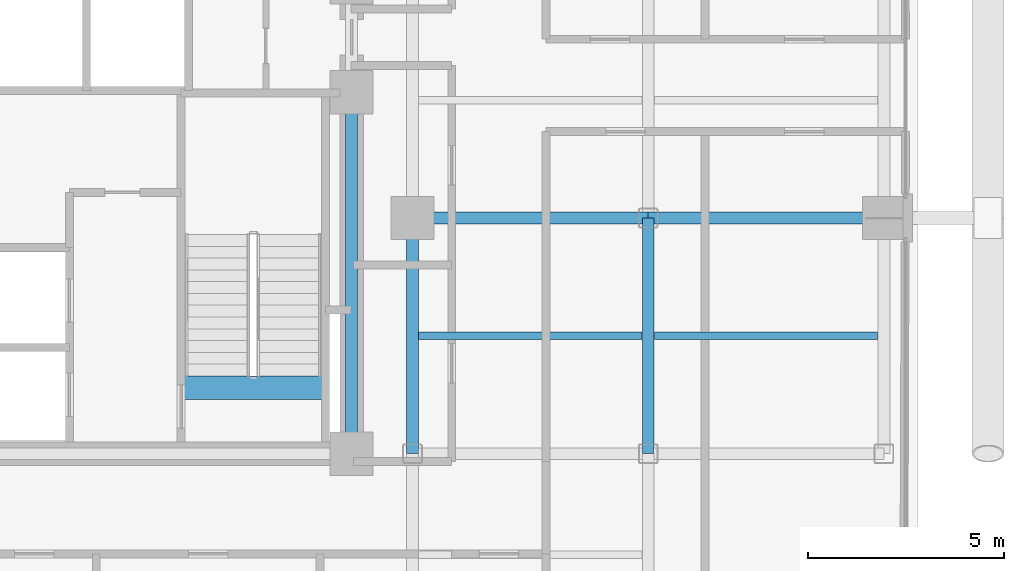
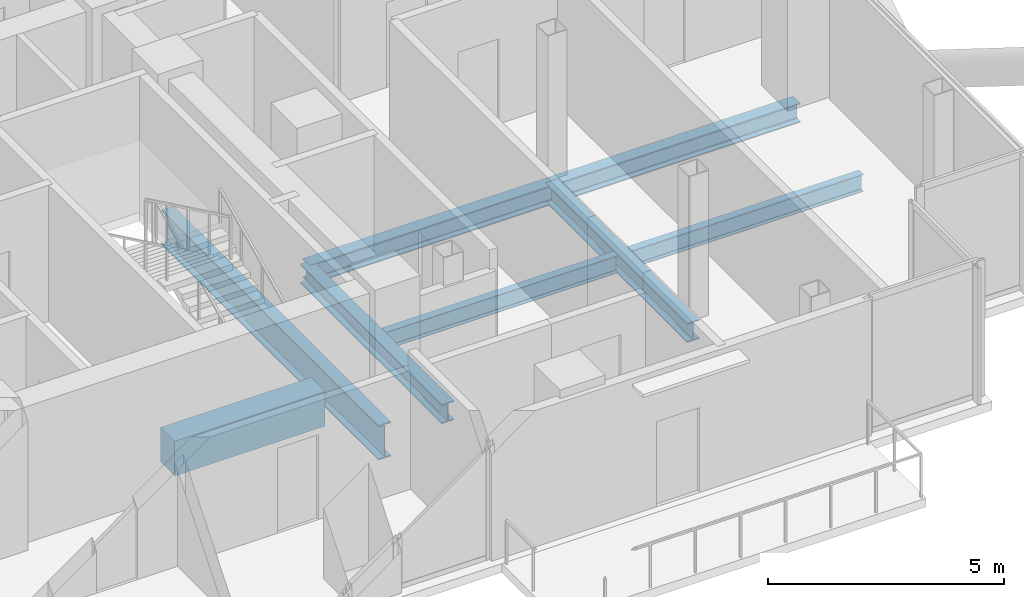
# One storey, part 11 of 28: 8 beams.
"""IFC4 building model written with IfcOpenShell, lengths in metres."""

from ifc_helpers import new_model, si_unit, direction, frame, origin, origin_2d, place, context, subcontext, project, spatial, rectangle, i_section, extrude, material, material_profile, profile_set, type_object, element, save


model = new_model("IFC4")

# Units and contexts
model_context = context("Model", 3, precision=1e-05, world=origin(), true_north=direction((0.0, 1.0)))
body_context = subcontext(model_context, "Body", "Model", "MODEL_VIEW")
ifc_project = project(units=[si_unit("LENGTHUNIT", "METRE"), si_unit("AREAUNIT", "SQUARE_METRE"), si_unit("VOLUMEUNIT", "CUBIC_METRE"), si_unit("PLANEANGLEUNIT", "RADIAN"), si_unit("MASSUNIT", "GRAM", prefix="KILO"), si_unit("THERMODYNAMICTEMPERATUREUNIT", "KELVIN"), si_unit("POWERUNIT", "WATT")], contexts=[model_context])

# Site, building, storey
site_placement = place(None, origin())
site = spatial("IfcSite", under=ifc_project, at=site_placement, CompositionType="ELEMENT")
building_placement = place(site_placement, origin())
building = spatial("IfcBuilding", under=site, at=building_placement, Name="Svarakhadi Broadcast Tower", CompositionType="ELEMENT")
storey_placement = place(building_placement, frame((0.0, 0.0, 123.14990234375)))
storey = spatial("IfcBuildingStorey", under=building, at=storey_placement, Name="L29", CompositionType="ELEMENT", Elevation=123.14990234375)

# Beams
ifc_material_1 = material(Name="Steel S355J2 (IS 2062 E350C)", Category="steel")
ifc_material_profile_1 = material_profile(ifc_material_1, i_section(OverallWidth=0.18994140625, OverallDepth=0.449951171875, WebThickness=0.009521484375, FlangeThickness=0.0146484375, FilletRadius=0.02099609375, at=origin_2d()), Name="NPB 450x190x78")
ifc_profile_set_1 = profile_set([ifc_material_profile_1], Name="Steel S355J2 (IS 2062 E350C)")
beam_type_1 = type_object("IfcBeamType", Name="Beam_NPB450", PredefinedType="BEAM", material=ifc_profile_set_1)
for number, where, z_axis, x_axis, name in (
    (1, (35.31005859375, 9.0, -0.449951171875), (1.0, 0.0, 0.0), (0.0, 1.0, 0.0), "L29 Secondary Composite Beam SB020"),
    (2, (41.31005859375, 9.0, -0.449951171875), (1.0, 0.0, 0.0), (0.0, 1.0, 0.0), "L29 Secondary Composite Beam SB022"),
):
    element("IfcBeam", number, at=place(storey_placement, frame(where, z_axis=z_axis, x_axis=x_axis)), inside=storey, type_object=beam_type_1, Name=name, PredefinedType="BEAM", context=body_context, shape_type="SweptSolid", body=[
        extrude(i_section(OverallWidth=0.18994140625, OverallDepth=0.449951171875, WebThickness=0.009521484375, FlangeThickness=0.0146484375, FilletRadius=0.02099609375, at=origin_2d()), origin(), (0.0, 0.0, 1.0), 5.679931640625),
    ])
ifc_material_2 = material(Name="Concrete C50/60 (IS 456 M60)", Category="concrete")
ifc_material_profile_2 = material_profile(ifc_material_2, rectangle(XDim=0.60009765625, YDim=0.89990234375, at=origin_2d()), Name="RC 600x900")
ifc_profile_set_2 = profile_set([ifc_material_profile_2], Name="Concrete C50/60 (IS 456 M60)")
beam_type_2 = type_object("IfcBeamType", Name="Coupling_RC600", PredefinedType="USERDEFINED", material=ifc_profile_set_2)
beam_1_placement = place(storey_placement, frame((29.260009765625, 7.679931640625, -0.449951171875), z_axis=(1.0, 0.0, 0.0), x_axis=(0.0, 1.0, 0.0)))
element("IfcBeam", 3, at=beam_1_placement, inside=storey, type_object=beam_type_2, Name="L29 Stair ST-02 Landing Throat Trimmer Beam CB-01", ObjectType="GIRDER", PredefinedType="USERDEFINED", context=body_context, shape_type="SweptSolid", body=[
    extrude(rectangle(XDim=0.60009765625, YDim=0.89990234375, at=origin_2d()), origin(), (0.0, 0.0, 1.0), 3.679931640625),
])
ifc_material_profile_3 = material_profile(ifc_material_1, i_section(OverallWidth=0.300048828125, OverallDepth=0.5, WebThickness=0.014404296875, FlangeThickness=0.028076171875, FilletRadius=0.027099609375, at=origin_2d()), Name="WPB 500x300x187")
ifc_profile_set_3 = profile_set([ifc_material_profile_3], Name="Steel S355J2 (IS 2062 E350C)")
beam_type_3 = type_object("IfcBeamType", Name="Girder_WPB500", PredefinedType="USERDEFINED", material=ifc_profile_set_3)
for number, where, z_axis, x_axis, name in (
    (4, (35.14990234375, 12.0, -0.474853515625), (1.0, 0.0, 0.0), (0.0, 1.0, 0.0), "L29 Primary E-W Girder G021"),
    (5, (41.14990234375, 12.0, -0.474853515625), (1.0, 0.0, 0.0), (0.0, 1.0, 0.0), "L29 Primary E-W Girder G022"),
    (6, (35.14990234375, 6.0, -0.474853515625), (0.0, 1.0, 0.0), (-1.0, 0.0, 0.0), "L29 Primary N-S Girder G068"),
    (7, (41.14990234375, 6.0, -0.474853515625), (0.0, 1.0, 0.0), (-1.0, 0.0, 0.0), "L29 Primary N-S Girder G071"),
):
    element("IfcBeam", number, at=place(storey_placement, frame(where, z_axis=z_axis, x_axis=x_axis)), inside=storey, type_object=beam_type_3, Name=name, ObjectType="GIRDER", PredefinedType="USERDEFINED", context=body_context, shape_type="SweptSolid", body=[
        extrude(i_section(OverallWidth=0.300048828125, OverallDepth=0.5, WebThickness=0.014404296875, FlangeThickness=0.028076171875, FilletRadius=0.027099609375, at=origin_2d()), origin(), (0.0, 0.0, 1.0), 6.0),
    ])
ifc_material_3 = material(Name="Steel S460ML (IS 2062 E450BR)", Category="steel")
ifc_material_profile_4 = material_profile(ifc_material_3, i_section(OverallWidth=0.300048828125, OverallDepth=0.89990234375, WebThickness=0.0185546875, FlangeThickness=0.034912109375, FilletRadius=0.030029296875, at=origin_2d()), Name="WPB 900x300x291")
ifc_profile_set_4 = profile_set([ifc_material_profile_4], Name="Steel S460ML (IS 2062 E450BR)")
beam_type_4 = type_object("IfcBeamType", Name="Girder_WPB900", PredefinedType="USERDEFINED", material=ifc_profile_set_4)
beam_2_placement = place(storey_placement, frame((33.60009765625, 6.0, -0.6748046875), z_axis=(0.0, 1.0, 0.0), x_axis=(-1.0, 0.0, 0.0)))
element("IfcBeam", 8, at=beam_2_placement, inside=storey, type_object=beam_type_4, Name="L29 Primary N-S Girder G065", ObjectType="GIRDER", PredefinedType="USERDEFINED", context=body_context, shape_type="SweptSolid", body=[
    extrude(i_section(OverallWidth=0.300048828125, OverallDepth=0.89990234375, WebThickness=0.0185546875, FlangeThickness=0.034912109375, FilletRadius=0.030029296875, at=origin_2d()), origin(), (0.0, 0.0, 1.0), 9.199951171875),
])

save(model, "model.ifc")
